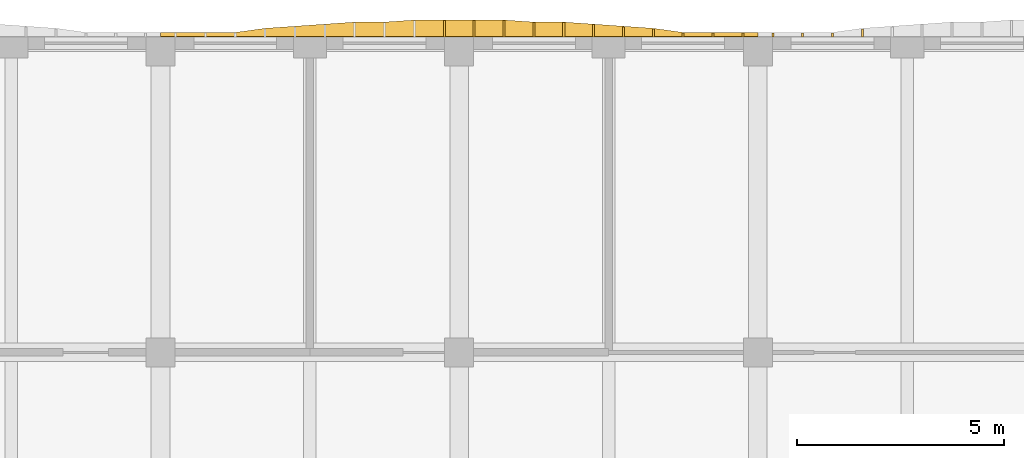
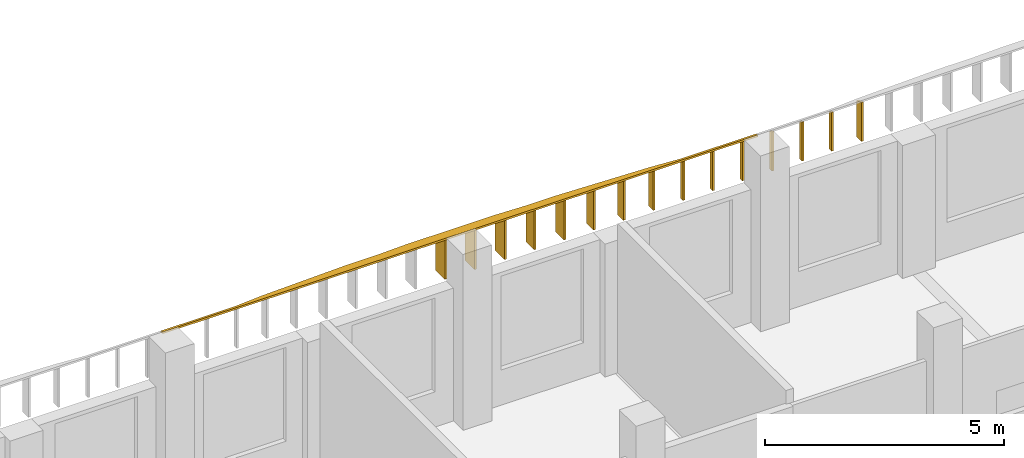
# One storey, part 47 of 59: 16 shading devices.
"""IFC4 building model written with IfcOpenShell, lengths in metres."""

from ifc_helpers import new_model, si_unit, direction, frame, origin, place, context, subcontext, project, spatial, polyline, outline, extrude, material, layer, layer_set, type_object, element, save


model = new_model("IFC4")

# Units and contexts
model_context = context("Model", 3, precision=1e-05, world=origin(), true_north=direction((0.0, 1.0)))
body_context = subcontext(model_context, "Body", "Model", "MODEL_VIEW")
ifc_project = project(units=[si_unit("LENGTHUNIT", "METRE"), si_unit("AREAUNIT", "SQUARE_METRE"), si_unit("VOLUMEUNIT", "CUBIC_METRE"), si_unit("PLANEANGLEUNIT", "RADIAN"), si_unit("MASSUNIT", "GRAM", prefix="KILO")], contexts=[model_context])

# Site, building, storey
site_placement = place(None, origin())
site = spatial("IfcSite", under=ifc_project, at=site_placement, CompositionType="ELEMENT")
building_placement = place(site_placement, origin())
building = spatial("IfcBuilding", under=site, at=building_placement, Name="Ussher Court Research Institute", CompositionType="ELEMENT")
storey_placement = place(building_placement, frame((0.0, 0.0, 5.39990234375)))
storey = spatial("IfcBuildingStorey", under=building, at=storey_placement, Name="L01", CompositionType="ELEMENT", Elevation=5.39990234375)

# Shading devices
ifc_material_1 = material(Name="Bronze anodised aluminium", Category="aluminium")
ifc_layer_1 = layer(ifc_material_1, 0.050048828125)
ifc_layer_set_1 = layer_set([ifc_layer_1], Name="Bronze anodised aluminium")
shading_device_type_1 = type_object("IfcShadingDeviceType", Name="Brim blade 100 mm deep 1000 mm high canted 20 deg dry", PredefinedType="USERDEFINED", material=ifc_layer_set_1)
for number, where, z_axis, x_axis, name in (
    (1, (30.0, 90.800048828125, 3.4501953125), (0.0, 0.0, 1.0), (0.0, 1.0, 0.0), "Brim blade BS17 L01"),
    (2, (30.719970703125, 90.800048828125, 3.4501953125), (0.0, 0.0, 1.0), (0.0, 1.0, 0.0), "Brim blade BS17 L01"),
    (3, (31.43994140625, 90.800048828125, 3.4501953125), (0.0, 0.0, 1.0), (0.0, 1.0, 0.0), "Brim blade BS17 L01"),
    (4, (32.159912109375, 90.800048828125, 3.4501953125), (0.0, 0.0, 1.0), (0.0, 1.0, 0.0), "Brim blade BS17 L01"),
    (5, (32.8798828125, 90.800048828125, 3.4501953125), (0.0, 0.0, 1.0), (0.0, 1.0, 0.0), "Brim blade BS17 L01"),
    (6, (33.60009765625, 90.800048828125, 3.4501953125), (0.0, 0.0, 1.0), (0.0, 1.0, 0.0), "Brim blade BS17 L01"),
):
    element("IfcShadingDevice", number, at=place(storey_placement, frame(where, z_axis=z_axis, x_axis=x_axis)), inside=storey, type_object=shading_device_type_1, Name=name, ObjectType="BLADE", PredefinedType="USERDEFINED", context=body_context, shape_type="SweptSolid", body=[
        extrude(outline(polyline([(0.0, 0.0), (0.099853515625, 0.0), (0.10009765625, 0.963623046875), (0.0, 1.0), (0.0, 0.0)])), frame((0.0, 0.02490234375, 0.0), z_axis=(0.0, -1.0, 0.0), x_axis=(1.0, 0.0, 0.0)), (0.0, 0.0, 1.0), 0.050048828125),
    ])
ifc_material_2 = material(Name="Bronze anodised aluminium", Category="aluminium")
ifc_layer_2 = layer(ifc_material_2, 0.050048828125)
ifc_layer_set_2 = layer_set([ifc_layer_2], Name="Bronze anodised aluminium")
shading_device_type_2 = type_object("IfcShadingDeviceType", Name="Brim blade 200 mm deep 1000 mm high canted 20 deg dry", PredefinedType="USERDEFINED", material=ifc_layer_set_2)
for number, where, z_axis, x_axis, name in (
    (7, (29.280029296875, 90.800048828125, 3.4501953125), (0.0, 0.0, 1.0), (0.0, 1.0, 0.0), "Brim blade BS15 L01"),
    (8, (34.320068359375, 90.800048828125, 3.4501953125), (0.0, 0.0, 1.0), (0.0, 1.0, 0.0), "Brim blade BS15 L01"),
):
    element("IfcShadingDevice", number, at=place(storey_placement, frame(where, z_axis=z_axis, x_axis=x_axis)), inside=storey, type_object=shading_device_type_2, Name=name, ObjectType="BLADE", PredefinedType="USERDEFINED", context=body_context, shape_type="SweptSolid", body=[
        extrude(outline(polyline([(0.0, 0.0), (0.199951171875, 0.0), (0.199951171875, 0.927001953125), (0.0, 1.0), (0.0, 0.0)])), frame((0.0, 0.02490234375, 0.0), z_axis=(0.0, -1.0, 0.0), x_axis=(1.0, 0.0, 0.0)), (0.0, 0.0, 1.0), 0.050048828125),
    ])
ifc_material_3 = material(Name="Bronze anodised aluminium", Category="aluminium")
ifc_layer_3 = layer(ifc_material_3, 0.050048828125)
ifc_layer_set_3 = layer_set([ifc_layer_3], Name="Bronze anodised aluminium")
shading_device_type_3 = type_object("IfcShadingDeviceType", Name="Brim blade 250 mm deep 1000 mm high canted 20 deg dry", PredefinedType="USERDEFINED", material=ifc_layer_set_3)
shading_device_1_placement = place(storey_placement, frame((28.56005859375, 90.800048828125, 3.4501953125), z_axis=(0.0, 0.0, 1.0), x_axis=(0.0, 1.0, 0.0)))
element("IfcShadingDevice", 9, at=shading_device_1_placement, inside=storey, type_object=shading_device_type_3, Name="Brim blade BS14 L01", ObjectType="BLADE", PredefinedType="USERDEFINED", context=body_context, shape_type="SweptSolid", body=[
    extrude(outline(polyline([(0.0, 0.0), (0.25, 0.0), (0.25, 0.908935546875), (0.0, 1.0), (0.0, 0.0)])), frame((0.0, 0.02490234375, 0.0), z_axis=(0.0, -1.0, 0.0), x_axis=(1.0, 0.0, 0.0)), (0.0, 0.0, 1.0), 0.050048828125),
])
ifc_material_4 = material(Name="Bronze anodised aluminium", Category="aluminium")
ifc_layer_4 = layer(ifc_material_4, 0.050048828125)
ifc_layer_set_4 = layer_set([ifc_layer_4], Name="Bronze anodised aluminium")
shading_device_type_4 = type_object("IfcShadingDeviceType", Name="Brim blade 300 mm deep 1000 mm high canted 20 deg dry", PredefinedType="USERDEFINED", material=ifc_layer_set_4)
shading_device_2_placement = place(storey_placement, frame((27.840087890625, 90.800048828125, 3.4501953125), z_axis=(0.0, 0.0, 1.0), x_axis=(0.0, 1.0, 0.0)))
element("IfcShadingDevice", 10, at=shading_device_2_placement, inside=storey, type_object=shading_device_type_4, Name="Brim blade BS13 L01", ObjectType="BLADE", PredefinedType="USERDEFINED", context=body_context, shape_type="SweptSolid", body=[
    extrude(outline(polyline([(0.0, 0.0), (0.300048828125, 0.0), (0.300048828125, 0.890625), (0.0, 1.0), (0.0, 0.0)])), frame((0.0, 0.02490234375, 0.0), z_axis=(0.0, -1.0, 0.0), x_axis=(1.0, 0.0, 0.0)), (0.0, 0.0, 1.0), 0.050048828125),
])
ifc_material_5 = material(Name="Bronze anodised aluminium", Category="aluminium")
ifc_layer_5 = layer(ifc_material_5, 0.050048828125)
ifc_layer_set_5 = layer_set([ifc_layer_5], Name="Bronze anodised aluminium")
shading_device_type_5 = type_object("IfcShadingDeviceType", Name="Brim blade 350 mm deep 1000 mm high canted 20 deg dry", PredefinedType="USERDEFINED", material=ifc_layer_set_5)
for number, where, z_axis, x_axis, name in (
    (11, (26.39990234375, 90.800048828125, 3.4501953125), (0.0, 0.0, 1.0), (0.0, 1.0, 0.0), "Brim blade BS12 L01"),
    (12, (27.1201171875, 90.800048828125, 3.4501953125), (0.0, 0.0, 1.0), (0.0, 1.0, 0.0), "Brim blade BS12 L01"),
):
    element("IfcShadingDevice", number, at=place(storey_placement, frame(where, z_axis=z_axis, x_axis=x_axis)), inside=storey, type_object=shading_device_type_5, Name=name, ObjectType="BLADE", PredefinedType="USERDEFINED", context=body_context, shape_type="SweptSolid", body=[
        extrude(outline(polyline([(0.0, 0.0), (0.349853515625, 0.0), (0.35009765625, 0.87255859375), (0.0, 1.0), (0.0, 0.0)])), frame((0.0, 0.02490234375, 0.0), z_axis=(0.0, -1.0, 0.0), x_axis=(1.0, 0.0, 0.0)), (0.0, 0.0, 1.0), 0.050048828125),
    ])
ifc_material_6 = material(Name="Bronze anodised aluminium", Category="aluminium")
ifc_layer_6 = layer(ifc_material_6, 0.050048828125)
ifc_layer_set_6 = layer_set([ifc_layer_6], Name="Bronze anodised aluminium")
shading_device_type_6 = type_object("IfcShadingDeviceType", Name="Brim blade 400 mm deep 1000 mm high canted 20 deg dry", PredefinedType="USERDEFINED", material=ifc_layer_set_6)
for number, where, z_axis, x_axis, name in (
    (13, (24.239990234375, 90.800048828125, 3.4501953125), (0.0, 0.0, 1.0), (0.0, 1.0, 0.0), "Brim blade BS11 L01"),
    (14, (24.9599609375, 90.800048828125, 3.4501953125), (0.0, 0.0, 1.0), (0.0, 1.0, 0.0), "Brim blade BS11 L01"),
    (15, (25.679931640625, 90.800048828125, 3.4501953125), (0.0, 0.0, 1.0), (0.0, 1.0, 0.0), "Brim blade BS11 L01"),
):
    element("IfcShadingDevice", number, at=place(storey_placement, frame(where, z_axis=z_axis, x_axis=x_axis)), inside=storey, type_object=shading_device_type_6, Name=name, ObjectType="BLADE", PredefinedType="USERDEFINED", context=body_context, shape_type="SweptSolid", body=[
        extrude(outline(polyline([(0.0, 0.0), (0.39990234375, 0.0), (0.39990234375, 0.854248046875), (0.0, 1.0), (0.0, 0.0)])), frame((0.0, 0.02490234375, 0.0), z_axis=(0.0, -1.0, 0.0), x_axis=(1.0, 0.0, 0.0)), (0.0, 0.0, 1.0), 0.050048828125),
    ])
ifc_material_7 = material(Name="Bronze anodised aluminium", Category="aluminium")
ifc_layer_7 = layer(ifc_material_7, 0.0400390625)
ifc_layer_set_7 = layer_set([ifc_layer_7], Name="Bronze anodised aluminium")
shading_device_type_7 = type_object("IfcShadingDeviceType", Name="Brim visor sheet 40 mm canted 20 deg dry", PredefinedType="USERDEFINED", material=ifc_layer_set_7)
shading_device_3_placement = place(storey_placement, frame((17.39990234375, 90.813720703125, 4.48779296875), z_axis=(0.0, 0.342255779972, 0.9396068226), x_axis=(1.0, 0.0, 0.0)))
element("IfcShadingDevice", 16, at=shading_device_3_placement, inside=storey, type_object=shading_device_type_7, Name="Brim visor sheet BR2 L01", ObjectType="BRIM", PredefinedType="USERDEFINED", context=body_context, shape_type="SweptSolid", body=[
    extrude(outline(polyline([(0.0, 0.0), (14.400146484375, 0.0), (14.400146484375, 0.10650266320353347), (14.0400390625, 0.10650266320353347), (13.320068359375, 0.10650266320353347), (12.60009765625, 0.10650266320353347), (11.880126953125, 0.21285948875017546), (11.16015625, 0.2660690410819261), (10.440185546875, 0.319362151953709), (9.72021484375, 0.3725717042854596), (9.0, 0.3725717042854596), (8.280029296875, 0.4256354189603187), (7.56005859375, 0.4256354189603187), (6.840087890625, 0.4256354189603187), (6.1201171875, 0.4256354189603187), (5.400146484375, 0.3725717042854596), (4.68017578125, 0.3725717042854596), (3.960205078125, 0.319362151953709), (3.239990234375, 0.2660690410819261), (2.52001953125, 0.21285948875017546), (1.800048828125, 0.10650266320353347), (1.080078125, 0.10650266320353347), (0.360107421875, 0.10650266320353347), (0.0, 0.10650266320353347), (0.0, 0.0)])), origin(), (0.0, 0.0, -1.0), 0.0400390625),
])

save(model, "model.ifc")
